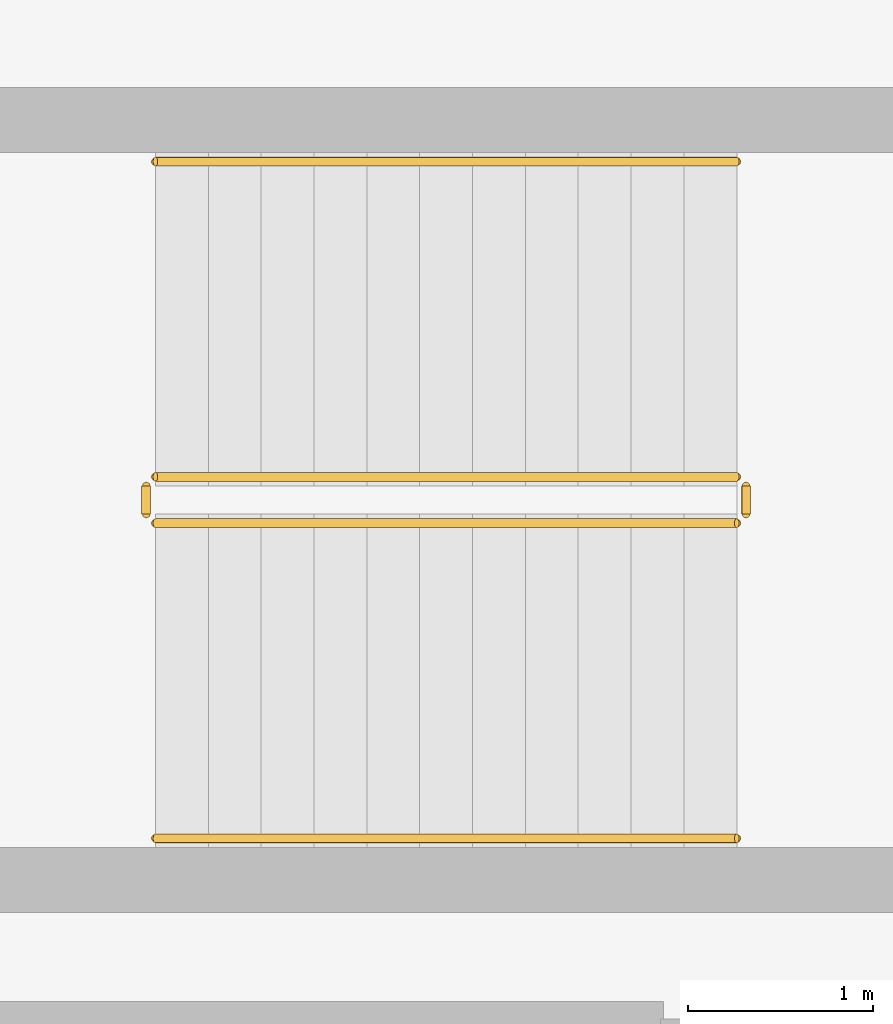
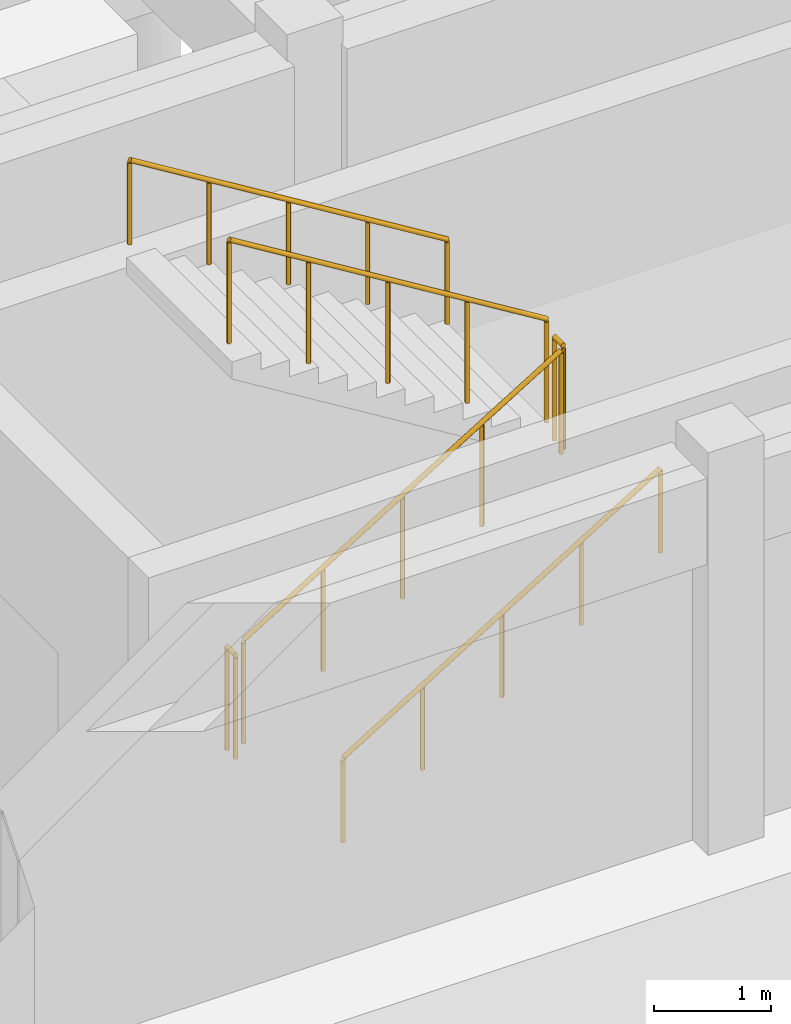
# One storey, part 28 of 31: 6 railings.
"""IFC4 building model written with IfcOpenShell, lengths in metres."""

import ifcopenshell
import ifcopenshell.guid

model = None  # the IFC model being written
_history = None  # IfcOwnerHistory: only IFC2X3 demands one
_inside = {}  # id of a spatial element -> (the spatial element, [elements in it])
_under = {}  # id of a project, library or spatial element -> (it, [spatial elements below it])
_declared = {}  # id of a project -> (the project, [libraries it declares])
_typed = {}  # id of a type object -> (the type object, [elements of that type])
_made_of = {}  # id of a material, layer set ... -> (it, [elements and type objects made of it])


def new_model(schema):
    """Start an empty IFC model of exactly this schema.

    Asked for "IFC4X3", IfcOpenShell would pick the latest addendum, in which some entities
    have other attributes; the version numbers below select the first issue.
    IFC2X3 requires an IfcOwnerHistory on every rooted entity: one is made here for all.
    """
    global model, _history
    if schema == "IFC4X3":
        model = ifcopenshell.file(schema_version=(4, 3, 0, 0))
    else:
        model = ifcopenshell.file(schema=schema)
    _inside.clear()
    _under.clear()
    _declared.clear()
    _typed.clear()
    _made_of.clear()
    _history = None
    if model.schema == "IFC2X3":
        org = make("IfcOrganization", Name="unknown")
        user = make(
            "IfcPersonAndOrganization",
            ThePerson=make("IfcPerson", FamilyName="unknown"),
            TheOrganization=org,
        )
        app = make(
            "IfcApplication",
            ApplicationDeveloper=org,
            Version="unknown",
            ApplicationFullName="unknown",
            ApplicationIdentifier="unknown",
        )
        _history = make(
            "IfcOwnerHistory",
            OwningUser=user,
            OwningApplication=app,
            ChangeAction="ADDED",
            CreationDate=0,
        )
    return model


def make(cls, **values):
    """One entity of the class cls with the attributes given. An attribute that is None is left unset."""
    return model.create_entity(
        cls, **{name: value for name, value in values.items() if value is not None}
    )


def rooted(cls, **values):
    """An entity with a GlobalId (a new one), such as an element, a storey or a relation."""
    return make(cls, GlobalId=ifcopenshell.guid.new(), OwnerHistory=_history, **values)


def si_unit(unit_type, name, prefix=None):
    """IfcSIUnit, for example si_unit("LENGTHUNIT", "METRE", prefix="MILLI")."""
    return make("IfcSIUnit", UnitType=unit_type, Prefix=prefix, Name=name)


def assignment(units):
    """IfcUnitAssignment: the units of a project."""
    return None if units is None else make("IfcUnitAssignment", Units=units)


def point(xyz):
    """IfcCartesianPoint."""
    return None if xyz is None else make("IfcCartesianPoint", Coordinates=xyz)


def direction(xyz):
    """IfcDirection."""
    return None if xyz is None else make("IfcDirection", DirectionRatios=xyz)


def frame(location, z_axis=None, x_axis=None):
    """IfcAxis2Placement3D, a coordinate frame: its origin and axes. An axis left out is left unset."""
    return make(
        "IfcAxis2Placement3D",
        Location=point(location),
        Axis=direction(z_axis),
        RefDirection=direction(x_axis),
    )


def frame_2d(location, x_axis=None):
    """IfcAxis2Placement2D, a coordinate frame in the plane: its origin and x axis."""
    return make(
        "IfcAxis2Placement2D", Location=point(location), RefDirection=direction(x_axis)
    )


def origin():
    """The frame at (0, 0, 0) with its axes left unset."""
    return frame((0.0, 0.0, 0.0))


def origin_2d():
    """The frame at (0, 0) in the plane with its x axis left unset."""
    return frame_2d((0.0, 0.0))


def place(relative_to, where):
    """IfcLocalPlacement: puts the frame where relative to a parent placement (None: the world)."""
    return make(
        "IfcLocalPlacement", PlacementRelTo=relative_to, RelativePlacement=where
    )


def context(
    kind, dimensions, precision=None, world=None, true_north=None, identifier=None
):
    """IfcGeometricRepresentationContext, for example the 3D "Model" context."""
    return make(
        "IfcGeometricRepresentationContext",
        ContextIdentifier=identifier,
        ContextType=kind,
        CoordinateSpaceDimension=dimensions,
        Precision=precision,
        WorldCoordinateSystem=world,
        TrueNorth=true_north,
    )


def subcontext(parent, identifier, kind, view, scale=None):
    """IfcGeometricRepresentationSubContext, for example "Body" below "Model"."""
    return make(
        "IfcGeometricRepresentationSubContext",
        ContextIdentifier=identifier,
        ContextType=kind,
        ParentContext=parent,
        TargetScale=scale,
        TargetView=view,
    )


def project(units=None, contexts=None):
    """IfcProject with its units and contexts."""
    return rooted(
        "IfcProject",
        Name="project",
        RepresentationContexts=contexts,
        UnitsInContext=assignment(units),
    )


def spatial(cls, under=None, at=None, **own):
    """A site, building, storey or space (cls), placed at a placement, below another one or the project."""
    s = rooted(cls, ObjectPlacement=at, **own)
    if under is not None:
        _under.setdefault(under.id(), (under, []))[1].append(s)
    return s


def profile(cls, at=None, kind="AREA", **sizes):
    """A parametric profile (cls). Its sizes go by their IFC names, for example OverallWidth=200.0."""
    return make(cls, ProfileType=kind, Position=at, **sizes)


def circle(**sizes):
    """IfcCircleProfileDef."""
    return profile("IfcCircleProfileDef", **sizes)


def extrude(swept, where, along, depth):
    """IfcExtrudedAreaSolid: the profile swept, set in the frame where, extruded along a direction by depth."""
    return make(
        "IfcExtrudedAreaSolid",
        SweptArea=swept,
        Position=where,
        ExtrudedDirection=direction(along),
        Depth=depth,
    )


def shape(context_of_items, identifier, shape_type, items):
    """IfcShapeRepresentation: the items that make up one representation, for example the "Body"."""
    return make(
        "IfcShapeRepresentation",
        ContextOfItems=context_of_items,
        RepresentationIdentifier=identifier,
        RepresentationType=shape_type,
        Items=items,
    )


def material(Name=None, Category=None):
    """IfcMaterial."""
    return make("IfcMaterial", Name=Name, Category=Category)


def made_of(thing, what):
    """Note that an element or type object is made of a material, layer set ...; save() writes the relation."""
    if what is not None:
        _made_of.setdefault(what.id(), (what, []))[1].append(thing)
    return thing


def type_object(cls, material=None, **own):
    """A type object (cls), such as IfcWallType, which elements share."""
    return made_of(rooted(cls, **own), material)


def element(
    cls,
    number,
    at=None,
    inside=None,
    cuts=None,
    type_object=None,
    material=None,
    context=None,
    identifier="Body",
    shape_type=None,
    held_by="IfcProductDefinitionShape",
    body=None,
    shapes=None,
    **own,
):
    """One element of the class cls, such as IfcWall. Its Tag is "e" and its number.

    at: its placement. inside: the storey or other place that contains it. cuts: it is an
    opening in that element (IfcRelVoidsElement). A single representation is given by context,
    identifier, shape_type and body (its items); several are given by shapes. held_by: the class
    of the entity that holds the representations. save() writes the other relations.
    """
    e = rooted(cls, Tag="e%d" % number, ObjectPlacement=at, **own)
    if body is not None:
        shapes = [shape(context, identifier, shape_type, body)]
    if shapes is not None:
        e.Representation = make(held_by, Representations=shapes)
    if inside is not None:
        _inside.setdefault(inside.id(), (inside, []))[1].append(e)
    if cuts is not None:
        rooted(
            "IfcRelVoidsElement", RelatingBuildingElement=cuts, RelatedOpeningElement=e
        )
    if type_object is not None:
        _typed.setdefault(type_object.id(), (type_object, []))[1].append(e)
    return made_of(e, material)


def aggregate(whole, parts):
    """IfcRelAggregates: a whole, such as a stair, and the parts it consists of."""
    return rooted("IfcRelAggregates", RelatingObject=whole, RelatedObjects=parts)


def save(model, path):
    """Write the relations noted so far, then the file.

    IfcRelAggregates (storeys below a building ...), IfcRelContainedInSpatialStructure (elements
    in a storey), IfcRelDefinesByType, IfcRelAssociatesMaterial and IfcRelDeclares: one each for
    every whole, place, type object, material and project.
    """
    for whole, parts in _under.values():
        aggregate(whole, parts)
    for where, things in _inside.values():
        rooted(
            "IfcRelContainedInSpatialStructure",
            RelatedElements=things,
            RelatingStructure=where,
        )
    for kind, things in _typed.values():
        rooted("IfcRelDefinesByType", RelatedObjects=things, RelatingType=kind)
    for what, things in _made_of.values():
        rooted("IfcRelAssociatesMaterial", RelatedObjects=things, RelatingMaterial=what)
    for by, libraries in _declared.values():
        rooted("IfcRelDeclares", RelatingContext=by, RelatedDefinitions=libraries)
    model.write(path)


model = new_model("IFC4")

# Units and contexts
model_context = context("Model", 3, precision=1e-05, world=origin(), true_north=direction((0.0, 1.0)))
body_context = subcontext(model_context, "Body", "Model", "MODEL_VIEW")
ifc_project = project(units=[si_unit("LENGTHUNIT", "METRE"), si_unit("AREAUNIT", "SQUARE_METRE"), si_unit("VOLUMEUNIT", "CUBIC_METRE"), si_unit("PLANEANGLEUNIT", "RADIAN"), si_unit("MASSUNIT", "GRAM", prefix="KILO")], contexts=[model_context])

# Site, building, storey
site_placement = place(None, origin())
site = spatial("IfcSite", under=ifc_project, at=site_placement, CompositionType="ELEMENT")
building_placement = place(site_placement, origin())
building = spatial("IfcBuilding", under=site, at=building_placement, Name="Brisavento Harbour Community Centre", CompositionType="ELEMENT")
storey_placement = place(building_placement, frame((0.0, 0.0, -4.199951171875)))
storey = spatial("IfcBuildingStorey", under=building, at=storey_placement, Name="B1", CompositionType="ELEMENT", Elevation=-4.199951171875)

# Railings
ifc_material = material(Name="Stainless steel 1.4401", Category="steel")
railing_type_1 = type_object("IfcRailingType", Name="RL-ST-GUARD", PredefinedType="GUARDRAIL", material=ifc_material)
railing_1_placement = place(storey_placement, frame((11.39990234375, 74.949951171875, 0.175048828125)))
element("IfcRailing", 1, at=railing_1_placement, inside=storey, type_object=railing_type_1, Name="B1 ST-07 stair guard 1", PredefinedType="GUARDRAIL", context=body_context, shape_type="SweptSolid", body=[
    extrude(circle(Radius=0.02392578125, at=origin_2d()), frame((0.0, 0.0, 1.076171875), z_axis=(0.852195625947, 0.0, 0.523223293744), x_axis=(0.0, 1.0, 0.0)), (0.0, 0.0, 1.0), 3.6787109375),
    extrude(circle(Radius=0.02099609375, at=origin_2d()), origin(), (0.0, 0.0, 1.0), 1.052001953125),
    extrude(circle(Radius=0.02099609375, at=origin_2d()), frame((0.78369140625, 0.0, 0.481201171875)), (0.0, 0.0, 1.0), 1.052001953125),
    extrude(circle(Radius=0.02099609375, at=origin_2d()), frame((1.5673828125, 0.0, 0.96240234375)), (0.0, 0.0, 1.0), 1.052001953125),
    extrude(circle(Radius=0.02099609375, at=origin_2d()), frame((2.351318359375, 0.0, 1.443603515625)), (0.0, 0.0, 1.0), 1.052001953125),
    extrude(circle(Radius=0.02099609375, at=origin_2d()), frame((3.135009765625, 0.0, 1.9248046875)), (0.0, 0.0, 1.0), 1.052001953125),
])
railing_2_placement = place(storey_placement, frame((14.5849609375, 75.0, 2.099853515625)))
element("IfcRailing", 2, at=railing_2_placement, inside=storey, type_object=railing_type_1, Name="B1 ST-07 stair guard 2", PredefinedType="GUARDRAIL", context=body_context, shape_type="SweptSolid", body=[
    extrude(circle(Radius=0.02392578125, at=origin_2d()), frame((0.0, 0.0, 1.076171875), z_axis=(0.0, 1.0, 0.0), x_axis=(-1.0, 0.0, 0.0)), (0.0, 0.0, 1.0), 0.14990234375),
    extrude(circle(Radius=0.02099609375, at=origin_2d()), origin(), (0.0, 0.0, 1.0), 1.052001953125),
    extrude(circle(Radius=0.02099609375, at=origin_2d()), frame((0.0, 0.14990234375, 0.0)), (0.0, 0.0, 1.0), 1.052001953125),
])
railing_3_placement = place(storey_placement, frame((14.534912109375, 75.199951171875, 2.27490234375)))
element("IfcRailing", 3, at=railing_3_placement, inside=storey, type_object=railing_type_1, Name="B1 ST-07 stair guard 3", PredefinedType="GUARDRAIL", context=body_context, shape_type="SweptSolid", body=[
    extrude(circle(Radius=0.02392578125, at=origin_2d()), frame((0.0, 0.0, 1.076171875), z_axis=(-0.852166034122, 0.0, 0.523271488128), x_axis=(0.0, -1.0, 0.0)), (0.0, 0.0, 1.0), 3.678955078125),
    extrude(circle(Radius=0.02099609375, at=origin_2d()), origin(), (0.0, 0.0, 1.0), 1.052001953125),
    extrude(circle(Radius=0.02099609375, at=origin_2d()), frame((-0.78369140625, 0.0, 0.481201171875)), (0.0, 0.0, 1.0), 1.052001953125),
    extrude(circle(Radius=0.02099609375, at=origin_2d()), frame((-1.5673828125, 0.0, 0.96240234375)), (0.0, 0.0, 1.0), 1.052001953125),
    extrude(circle(Radius=0.02099609375, at=origin_2d()), frame((-2.351318359375, 0.0, 1.44384765625)), (0.0, 0.0, 1.0), 1.052001953125),
    extrude(circle(Radius=0.02099609375, at=origin_2d()), frame((-3.135009765625, 0.0, 1.925048828125)), (0.0, 0.0, 1.0), 1.052001953125),
])
railing_4_placement = place(storey_placement, frame((11.35009765625, 75.0, 0.0)))
element("IfcRailing", 4, at=railing_4_placement, inside=storey, type_object=railing_type_1, Name="B1 ST-07 stair guard 4", PredefinedType="GUARDRAIL", context=body_context, shape_type="SweptSolid", body=[
    extrude(circle(Radius=0.02392578125, at=origin_2d()), frame((0.0, 0.0, 1.076171875), z_axis=(0.0, 1.0, 0.0), x_axis=(-1.0, 0.0, 0.0)), (0.0, 0.0, 1.0), 0.14990234375),
    extrude(circle(Radius=0.02099609375, at=origin_2d()), origin(), (0.0, 0.0, 1.0), 1.052001953125),
    extrude(circle(Radius=0.02099609375, at=origin_2d()), frame((0.0, 0.14990234375, 0.0)), (0.0, 0.0, 1.0), 1.052001953125),
])
railing_type_2 = type_object("IfcRailingType", Name="RL-ST-HAND", PredefinedType="HANDRAIL", material=ifc_material)
railing_5_placement = place(storey_placement, frame((11.39990234375, 73.25, 0.175048828125)))
element("IfcRailing", 5, at=railing_5_placement, inside=storey, type_object=railing_type_2, Name="B1 ST-07 stair handrail 1", PredefinedType="HANDRAIL", context=body_context, shape_type="SweptSolid", body=[
    extrude(circle(Radius=0.02392578125, at=origin_2d()), frame((0.0, 0.0, 0.8759765625), z_axis=(0.852195625947, 0.0, 0.523223293744), x_axis=(0.0, 1.0, 0.0)), (0.0, 0.0, 1.0), 3.6787109375),
    extrude(circle(Radius=0.02099609375, at=origin_2d()), origin(), (0.0, 0.0, 1.0), 0.851806640625),
    extrude(circle(Radius=0.02099609375, at=origin_2d()), frame((0.78369140625, 0.0, 0.481201171875)), (0.0, 0.0, 1.0), 0.851806640625),
    extrude(circle(Radius=0.02099609375, at=origin_2d()), frame((1.5673828125, 0.0, 0.96240234375)), (0.0, 0.0, 1.0), 0.851806640625),
    extrude(circle(Radius=0.02099609375, at=origin_2d()), frame((2.351318359375, 0.0, 1.443603515625)), (0.0, 0.0, 1.0), 0.851806640625),
    extrude(circle(Radius=0.02099609375, at=origin_2d()), frame((3.135009765625, 0.0, 1.9248046875)), (0.0, 0.0, 1.0), 0.851806640625),
])
railing_6_placement = place(storey_placement, frame((14.534912109375, 76.89990234375, 2.27490234375)))
element("IfcRailing", 6, at=railing_6_placement, inside=storey, type_object=railing_type_2, Name="B1 ST-07 stair handrail 2", PredefinedType="HANDRAIL", context=body_context, shape_type="SweptSolid", body=[
    extrude(circle(Radius=0.02392578125, at=origin_2d()), frame((0.0, 0.0, 0.8759765625), z_axis=(-0.852166034122, 0.0, 0.523271488128), x_axis=(0.0, -1.0, 0.0)), (0.0, 0.0, 1.0), 3.678955078125),
    extrude(circle(Radius=0.02099609375, at=origin_2d()), origin(), (0.0, 0.0, 1.0), 0.851806640625),
    extrude(circle(Radius=0.02099609375, at=origin_2d()), frame((-0.78369140625, 0.0, 0.481201171875)), (0.0, 0.0, 1.0), 0.851806640625),
    extrude(circle(Radius=0.02099609375, at=origin_2d()), frame((-1.5673828125, 0.0, 0.96240234375)), (0.0, 0.0, 1.0), 0.851806640625),
    extrude(circle(Radius=0.02099609375, at=origin_2d()), frame((-2.351318359375, 0.0, 1.44384765625)), (0.0, 0.0, 1.0), 0.851806640625),
    extrude(circle(Radius=0.02099609375, at=origin_2d()), frame((-3.135009765625, 0.0, 1.925048828125)), (0.0, 0.0, 1.0), 0.851806640625),
])

save(model, "model.ifc")
